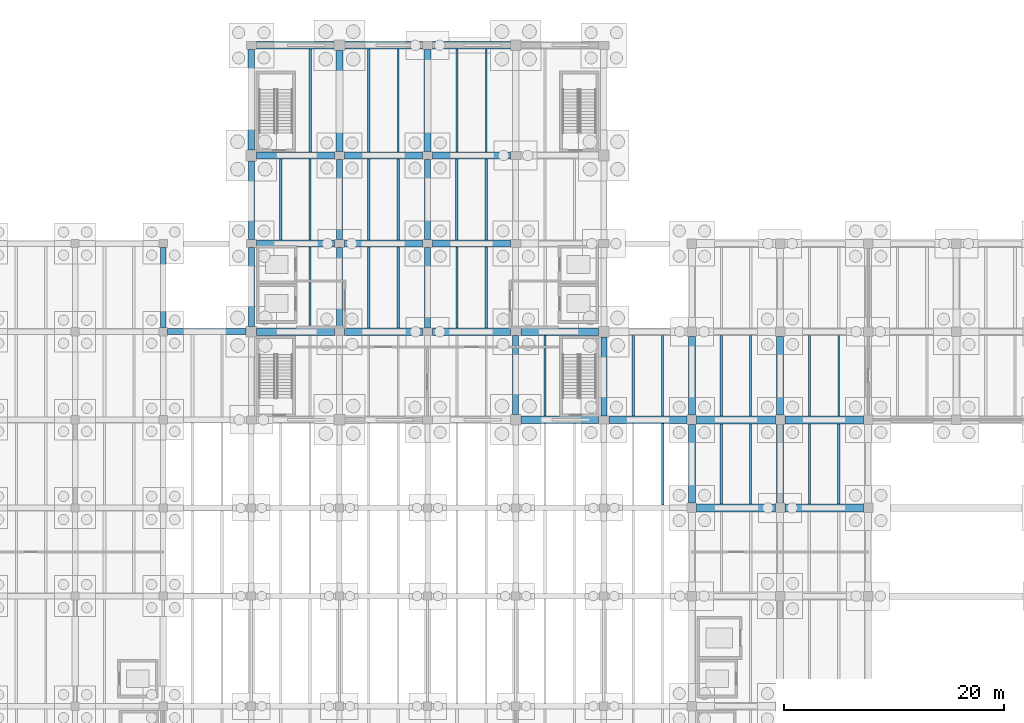
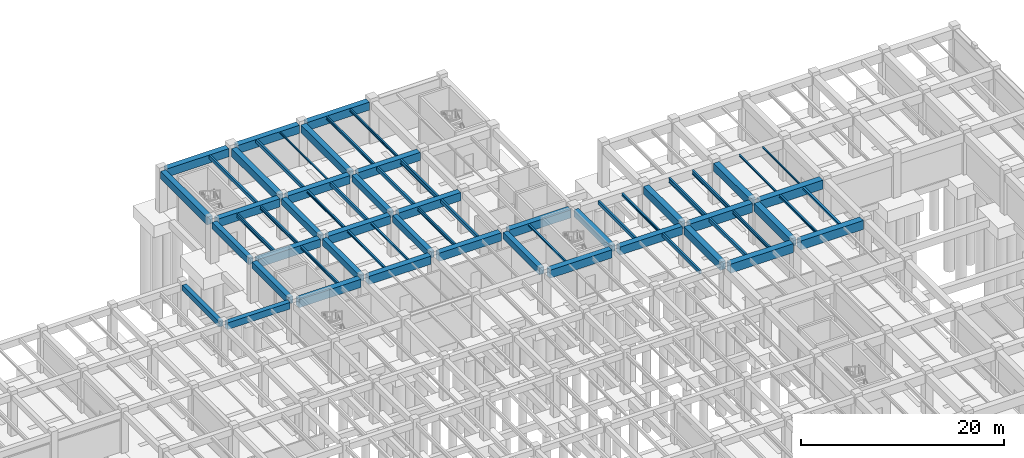
# One storey, part 19 of 44: 64 beams.
"""IFC4 building model written with IfcOpenShell, lengths in metres."""

from ifc_helpers import new_model, si_unit, direction, frame, origin, origin_2d, place, context, subcontext, project, spatial, rectangle, i_section, extrude, material, material_profile, profile_set, type_object, element, save


model = new_model("IFC4")

# Units and contexts
model_context = context("Model", 3, precision=1e-05, world=origin(), true_north=direction((0.0, 1.0)))
body_context = subcontext(model_context, "Body", "Model", "MODEL_VIEW")
ifc_project = project(units=[si_unit("LENGTHUNIT", "METRE"), si_unit("AREAUNIT", "SQUARE_METRE"), si_unit("VOLUMEUNIT", "CUBIC_METRE"), si_unit("PLANEANGLEUNIT", "RADIAN"), si_unit("MASSUNIT", "GRAM", prefix="KILO")], contexts=[model_context])

# Site, building, storey
site_placement = place(None, origin())
site = spatial("IfcSite", under=ifc_project, at=site_placement, CompositionType="ELEMENT")
building_placement = place(site_placement, origin())
building = spatial("IfcBuilding", under=site, at=building_placement, Name="Pecanmere Concourse Central Library", CompositionType="ELEMENT")
storey_placement = place(building_placement, frame((0.0, 0.0, -5.39990234375)))
storey = spatial("IfcBuildingStorey", under=building, at=storey_placement, Name="B1", CompositionType="ELEMENT", Elevation=-5.39990234375)

# Beams
ifc_material_1 = material(Name="Concrete C40/50", Category="concrete")
ifc_material_profile_1 = material_profile(ifc_material_1, rectangle(XDim=0.47998046875, YDim=0.679931640625, at=origin_2d()), Name="RC 480x680")
ifc_profile_set_1 = profile_set([ifc_material_profile_1], Name="Concrete C40/50")
beam_type_1 = type_object("IfcBeamType", Name="GRD_480x680", PredefinedType="USERDEFINED", material=ifc_profile_set_1)
beam_1_placement = place(storey_placement, frame((64.0, 98.375, 4.639892578125), z_axis=(0.0, 1.0, 0.0), x_axis=(-1.0, 0.0, 0.0)))
element("IfcBeam", 1, at=beam_1_placement, inside=storey, type_object=beam_type_1, Name="Primary Girder Y L01-0283", ObjectType="GIRDER", PredefinedType="USERDEFINED", context=body_context, shape_type="SweptSolid", body=[
    extrude(rectangle(XDim=0.47998046875, YDim=0.679931640625, at=origin_2d()), origin(), (0.0, 0.0, 1.0), 7.25),
])
ifc_material_2 = material(Name="Concrete C40/50", Category="concrete")
ifc_material_profile_2 = material_profile(ifc_material_2, rectangle(XDim=0.5400390625, YDim=0.800048828125, at=origin_2d()), Name="RC 540x800")
ifc_profile_set_2 = profile_set([ifc_material_profile_2], Name="Concrete C40/50")
beam_type_2 = type_object("IfcBeamType", Name="GRD_540x800", PredefinedType="USERDEFINED", material=ifc_profile_set_2)
beam_2_placement = place(storey_placement, frame((64.375, 98.0, 4.579833984375), z_axis=(1.0, 0.0, 0.0), x_axis=(0.0, 1.0, 0.0)))
element("IfcBeam", 2, at=beam_2_placement, inside=storey, type_object=beam_type_2, Name="Primary Girder X L01-0178", ObjectType="GIRDER", PredefinedType="USERDEFINED", context=body_context, shape_type="SweptSolid", body=[
    extrude(rectangle(XDim=0.5400390625, YDim=0.800048828125, at=origin_2d()), origin(), (0.0, 0.0, 1.0), 7.135009765625),
])
for number, where, z_axis, x_axis, name in (
    (3, (72.0, 98.489990234375, 4.579833984375), (0.0, 1.0, 0.0), (-1.0, 0.0, 0.0), "Primary Girder Y L01-0293"),
    (4, (72.0, 106.360107421875, 4.579833984375), (0.0, 1.0, 0.0), (-1.0, 0.0, 0.0), "Primary Girder Y L01-0294"),
):
    element("IfcBeam", number, at=place(storey_placement, frame(where, z_axis=z_axis, x_axis=x_axis)), inside=storey, type_object=beam_type_2, Name=name, ObjectType="GIRDER", PredefinedType="USERDEFINED", context=body_context, shape_type="SweptSolid", body=[
        extrude(rectangle(XDim=0.5400390625, YDim=0.800048828125, at=origin_2d()), origin(), (0.0, 0.0, 1.0), 7.14990234375),
    ])
for number, where, z_axis, x_axis, name in (
    (5, (80.0, 98.360107421875, 4.579833984375), (0.0, 1.0, 0.0), (-1.0, 0.0, 0.0), "Primary Girder Y L01-0305"),
    (6, (80.0, 106.360107421875, 4.579833984375), (0.0, 1.0, 0.0), (-1.0, 0.0, 0.0), "Primary Girder Y L01-0306"),
    (7, (88.0, 98.360107421875, 4.579833984375), (0.0, 1.0, 0.0), (-1.0, 0.0, 0.0), "Primary Girder Y L01-0317"),
    (8, (88.0, 106.360107421875, 4.579833984375), (0.0, 1.0, 0.0), (-1.0, 0.0, 0.0), "Primary Girder Y L01-0318"),
):
    element("IfcBeam", number, at=place(storey_placement, frame(where, z_axis=z_axis, x_axis=x_axis)), inside=storey, type_object=beam_type_2, Name=name, ObjectType="GIRDER", PredefinedType="USERDEFINED", context=body_context, shape_type="SweptSolid", body=[
        extrude(rectangle(XDim=0.5400390625, YDim=0.800048828125, at=origin_2d()), origin(), (0.0, 0.0, 1.0), 7.27978515625),
    ])
for number, where, z_axis, x_axis, name in (
    (9, (96.0, 90.489990234375, 4.579833984375), (0.0, 1.0, 0.0), (-1.0, 0.0, 0.0), "Primary Girder Y L01-0328"),
    (10, (104.0, 90.360107421875, 4.579833984375), (0.0, 1.0, 0.0), (-1.0, 0.0, 0.0), "Primary Girder Y L01-0340"),
):
    element("IfcBeam", number, at=place(storey_placement, frame(where, z_axis=z_axis, x_axis=x_axis)), inside=storey, type_object=beam_type_2, Name=name, ObjectType="GIRDER", PredefinedType="USERDEFINED", context=body_context, shape_type="SweptSolid", body=[
        extrude(rectangle(XDim=0.5400390625, YDim=0.800048828125, at=origin_2d()), origin(), (0.0, 0.0, 1.0), 7.14990234375),
    ])
ifc_material_3 = material(Name="Concrete C40/50", Category="concrete")
ifc_material_profile_3 = material_profile(ifc_material_3, rectangle(XDim=0.6201171875, YDim=0.919921875, at=origin_2d()), Name="RC 620x920")
ifc_profile_set_3 = profile_set([ifc_material_profile_3], Name="Concrete C40/50")
beam_type_3 = type_object("IfcBeamType", Name="GRD_620x920", PredefinedType="USERDEFINED", material=ifc_profile_set_3)
for number, where, z_axis, x_axis, name in (
    (11, (72.0, 114.489990234375, 4.52001953125), (0.0, 1.0, 0.0), (-1.0, 0.0, 0.0), "Primary Girder Y L01-0295"),
    (12, (80.0, 114.360107421875, 4.52001953125), (0.0, 1.0, 0.0), (-1.0, 0.0, 0.0), "Primary Girder Y L01-0307"),
):
    element("IfcBeam", number, at=place(storey_placement, frame(where, z_axis=z_axis, x_axis=x_axis)), inside=storey, type_object=beam_type_3, Name=name, ObjectType="GIRDER", PredefinedType="USERDEFINED", context=body_context, shape_type="SweptSolid", body=[
        extrude(rectangle(XDim=0.6201171875, YDim=0.919921875, at=origin_2d()), origin(), (0.0, 0.0, 1.0), 9.14990234375),
    ])
beam_3_placement = place(storey_placement, frame((88.0, 114.360107421875, 4.52001953125), z_axis=(0.0, 1.0, 0.0), x_axis=(-1.0, 0.0, 0.0)))
element("IfcBeam", 13, at=beam_3_placement, inside=storey, type_object=beam_type_3, Name="Primary Girder Y L01-0319", ObjectType="GIRDER", PredefinedType="USERDEFINED", context=body_context, shape_type="SweptSolid", body=[
    extrude(rectangle(XDim=0.6201171875, YDim=0.919921875, at=origin_2d()), origin(), (0.0, 0.0, 1.0), 9.27978515625),
])
ifc_material_4 = material(Name="Concrete C40/50", Category="concrete")
ifc_material_profile_4 = material_profile(ifc_material_4, rectangle(XDim=0.639892578125, YDim=0.949951171875, at=origin_2d()), Name="RC 640x950")
ifc_profile_set_4 = profile_set([ifc_material_profile_4], Name="Concrete C40/50")
beam_type_4 = type_object("IfcBeamType", Name="GRD_640x950", PredefinedType="USERDEFINED", material=ifc_profile_set_4)
for number, where, z_axis, x_axis, name in (
    (14, (112.0, 82.429931640625, 4.5048828125), (0.0, 1.0, 0.0), (-1.0, 0.0, 0.0), "Primary Girder Y L01-0351"),
    (15, (112.0, 90.429931640625, 4.5048828125), (0.0, 1.0, 0.0), (-1.0, 0.0, 0.0), "Primary Girder Y L01-0352"),
    (16, (120.0, 82.429931640625, 4.5048828125), (0.0, 1.0, 0.0), (-1.0, 0.0, 0.0), "Primary Girder Y L01-0361"),
    (17, (120.0, 90.429931640625, 4.5048828125), (0.0, 1.0, 0.0), (-1.0, 0.0, 0.0), "Primary Girder Y L01-0362"),
):
    element("IfcBeam", number, at=place(storey_placement, frame(where, z_axis=z_axis, x_axis=x_axis)), inside=storey, type_object=beam_type_4, Name=name, ObjectType="GIRDER", PredefinedType="USERDEFINED", context=body_context, shape_type="SweptSolid", body=[
        extrude(rectangle(XDim=0.639892578125, YDim=0.949951171875, at=origin_2d()), origin(), (0.0, 0.0, 1.0), 7.14013671875),
    ])
ifc_material_5 = material(Name="Concrete C40/50", Category="concrete")
ifc_material_profile_5 = material_profile(ifc_material_5, rectangle(XDim=0.659912109375, YDim=0.97998046875, at=origin_2d()), Name="RC 660x980")
ifc_profile_set_5 = profile_set([ifc_material_profile_5], Name="Concrete C40/50")
beam_type_5 = type_object("IfcBeamType", Name="GRD_660x980", PredefinedType="USERDEFINED", material=ifc_profile_set_5)
beam_4_placement = place(storey_placement, frame((96.489990234375, 90.0, 4.489990234375), z_axis=(1.0, 0.0, 0.0), x_axis=(0.0, 1.0, 0.0)))
element("IfcBeam", 18, at=beam_4_placement, inside=storey, type_object=beam_type_5, Name="Primary Girder X L01-0166", ObjectType="GIRDER", PredefinedType="USERDEFINED", context=body_context, shape_type="SweptSolid", body=[
    extrude(rectangle(XDim=0.659912109375, YDim=0.97998046875, at=origin_2d()), origin(), (0.0, 0.0, 1.0), 7.050048828125),
])
beam_5_placement = place(storey_placement, frame((104.4599609375, 90.0, 4.489990234375), z_axis=(1.0, 0.0, 0.0), x_axis=(0.0, 1.0, 0.0)))
element("IfcBeam", 19, at=beam_5_placement, inside=storey, type_object=beam_type_5, Name="Primary Girder X L01-0167", ObjectType="GIRDER", PredefinedType="USERDEFINED", context=body_context, shape_type="SweptSolid", body=[
    extrude(rectangle(XDim=0.659912109375, YDim=0.97998046875, at=origin_2d()), origin(), (0.0, 0.0, 1.0), 7.110107421875),
])
beam_6_placement = place(storey_placement, frame((72.489990234375, 98.0, 4.489990234375), z_axis=(1.0, 0.0, 0.0), x_axis=(0.0, 1.0, 0.0)))
element("IfcBeam", 20, at=beam_6_placement, inside=storey, type_object=beam_type_5, Name="Primary Girder X L01-0179", ObjectType="GIRDER", PredefinedType="USERDEFINED", context=body_context, shape_type="SweptSolid", body=[
    extrude(rectangle(XDim=0.659912109375, YDim=0.97998046875, at=origin_2d()), origin(), (0.0, 0.0, 1.0), 7.050048828125),
])
for number, where, z_axis, x_axis, name in (
    (21, (80.4599609375, 98.0, 4.489990234375), (1.0, 0.0, 0.0), (0.0, 1.0, 0.0), "Primary Girder X L01-0180"),
    (22, (88.4599609375, 98.0, 4.489990234375), (1.0, 0.0, 0.0), (0.0, 1.0, 0.0), "Primary Girder X L01-0181"),
):
    element("IfcBeam", number, at=place(storey_placement, frame(where, z_axis=z_axis, x_axis=x_axis)), inside=storey, type_object=beam_type_5, Name=name, ObjectType="GIRDER", PredefinedType="USERDEFINED", context=body_context, shape_type="SweptSolid", body=[
        extrude(rectangle(XDim=0.659912109375, YDim=0.97998046875, at=origin_2d()), origin(), (0.0, 0.0, 1.0), 7.080078125),
    ])
beam_7_placement = place(storey_placement, frame((96.4599609375, 98.0, 4.489990234375), z_axis=(1.0, 0.0, 0.0), x_axis=(0.0, 1.0, 0.0)))
element("IfcBeam", 23, at=beam_7_placement, inside=storey, type_object=beam_type_5, Name="Primary Girder X L01-0182", ObjectType="GIRDER", PredefinedType="USERDEFINED", context=body_context, shape_type="SweptSolid", body=[
    extrude(rectangle(XDim=0.659912109375, YDim=0.97998046875, at=origin_2d()), origin(), (0.0, 0.0, 1.0), 7.050048828125),
])
for number, where, z_axis, x_axis, name in (
    (24, (72.4599609375, 106.0, 4.489990234375), (1.0, 0.0, 0.0), (0.0, 1.0, 0.0), "Primary Girder X L01-0194"),
    (25, (80.4599609375, 106.0, 4.489990234375), (1.0, 0.0, 0.0), (0.0, 1.0, 0.0), "Primary Girder X L01-0195"),
    (26, (88.4599609375, 106.0, 4.489990234375), (1.0, 0.0, 0.0), (0.0, 1.0, 0.0), "Primary Girder X L01-0196"),
):
    element("IfcBeam", number, at=place(storey_placement, frame(where, z_axis=z_axis, x_axis=x_axis)), inside=storey, type_object=beam_type_5, Name=name, ObjectType="GIRDER", PredefinedType="USERDEFINED", context=body_context, shape_type="SweptSolid", body=[
        extrude(rectangle(XDim=0.659912109375, YDim=0.97998046875, at=origin_2d()), origin(), (0.0, 0.0, 1.0), 7.080078125),
    ])
beam_8_placement = place(storey_placement, frame((72.489990234375, 114.0, 4.489990234375), z_axis=(1.0, 0.0, 0.0), x_axis=(0.0, 1.0, 0.0)))
element("IfcBeam", 27, at=beam_8_placement, inside=storey, type_object=beam_type_5, Name="Primary Girder X L01-0203", ObjectType="GIRDER", PredefinedType="USERDEFINED", context=body_context, shape_type="SweptSolid", body=[
    extrude(rectangle(XDim=0.659912109375, YDim=0.97998046875, at=origin_2d()), origin(), (0.0, 0.0, 1.0), 7.050048828125),
])
for number, where, z_axis, x_axis, name in (
    (28, (80.4599609375, 114.0, 4.489990234375), (1.0, 0.0, 0.0), (0.0, 1.0, 0.0), "Primary Girder X L01-0204"),
    (29, (88.4599609375, 114.0, 4.489990234375), (1.0, 0.0, 0.0), (0.0, 1.0, 0.0), "Primary Girder X L01-0205"),
):
    element("IfcBeam", number, at=place(storey_placement, frame(where, z_axis=z_axis, x_axis=x_axis)), inside=storey, type_object=beam_type_5, Name=name, ObjectType="GIRDER", PredefinedType="USERDEFINED", context=body_context, shape_type="SweptSolid", body=[
        extrude(rectangle(XDim=0.659912109375, YDim=0.97998046875, at=origin_2d()), origin(), (0.0, 0.0, 1.0), 7.080078125),
    ])
for number, where, z_axis, x_axis, name in (
    (30, (72.4599609375, 124.0, 4.489990234375), (1.0, 0.0, 0.0), (0.0, 1.0, 0.0), "Primary Girder X L01-0207"),
    (31, (80.489990234375, 124.0, 4.489990234375), (1.0, 0.0, 0.0), (0.0, 1.0, 0.0), "Primary Girder X L01-0208"),
    (32, (88.4599609375, 124.0, 4.489990234375), (1.0, 0.0, 0.0), (0.0, 1.0, 0.0), "Primary Girder X L01-0209"),
):
    element("IfcBeam", number, at=place(storey_placement, frame(where, z_axis=z_axis, x_axis=x_axis)), inside=storey, type_object=beam_type_5, Name=name, ObjectType="GIRDER", PredefinedType="USERDEFINED", context=body_context, shape_type="SweptSolid", body=[
        extrude(rectangle(XDim=0.659912109375, YDim=0.97998046875, at=origin_2d()), origin(), (0.0, 0.0, 1.0), 7.050048828125),
    ])
ifc_material_6 = material(Name="Concrete C40/50", Category="concrete")
ifc_material_profile_6 = material_profile(ifc_material_6, rectangle(XDim=0.719970703125, YDim=1.080078125, at=origin_2d()), Name="RC 720x1080")
ifc_profile_set_6 = profile_set([ifc_material_profile_6], Name="Concrete C40/50")
beam_type_6 = type_object("IfcBeamType", Name="GRD_720x1080", PredefinedType="USERDEFINED", material=ifc_profile_set_6)
for number, where, z_axis, x_axis, name in (
    (33, (112.429931640625, 82.0, 4.43994140625), (1.0, 0.0, 0.0), (0.0, 1.0, 0.0), "Primary Girder X L01-0154"),
    (34, (120.429931640625, 82.0, 4.43994140625), (1.0, 0.0, 0.0), (0.0, 1.0, 0.0), "Primary Girder X L01-0155"),
    (35, (112.429931640625, 90.0, 4.43994140625), (1.0, 0.0, 0.0), (0.0, 1.0, 0.0), "Primary Girder X L01-0168"),
    (36, (120.429931640625, 90.0, 4.43994140625), (1.0, 0.0, 0.0), (0.0, 1.0, 0.0), "Primary Girder X L01-0169"),
):
    element("IfcBeam", number, at=place(storey_placement, frame(where, z_axis=z_axis, x_axis=x_axis)), inside=storey, type_object=beam_type_6, Name=name, ObjectType="GIRDER", PredefinedType="USERDEFINED", context=body_context, shape_type="SweptSolid", body=[
        extrude(rectangle(XDim=0.719970703125, YDim=1.080078125, at=origin_2d()), origin(), (0.0, 0.0, 1.0), 7.14013671875),
    ])
ifc_material_7 = material(Name="Concrete C40/50", Category="concrete")
ifc_material_profile_7 = material_profile(ifc_material_7, rectangle(XDim=0.219970703125, YDim=0.409912109375, at=origin_2d()), Name="RC 220x410")
ifc_profile_set_7 = profile_set([ifc_material_profile_7], Name="Concrete C40/50")
beam_type_7 = type_object("IfcBeamType", Name="JST_RC_220x410", PredefinedType="JOIST", material=ifc_profile_set_7)
beam_9_placement = place(storey_placement, frame((77.333251953125, 114.330078125, 4.77490234375), z_axis=(0.0, 1.0, 0.0), x_axis=(-1.0, 0.0, 0.0)))
element("IfcBeam", 37, at=beam_9_placement, inside=storey, type_object=beam_type_7, Name="Secondary Floor Joist L01-0563", PredefinedType="JOIST", context=body_context, shape_type="SweptSolid", body=[
    extrude(rectangle(XDim=0.219970703125, YDim=0.409912109375, at=origin_2d()), origin(), (0.0, 0.0, 1.0), 9.33984375),
])
beam_10_placement = place(storey_placement, frame((85.333251953125, 106.330078125, 4.77490234375), z_axis=(0.0, 1.0, 0.0), x_axis=(-1.0, 0.0, 0.0)))
element("IfcBeam", 38, at=beam_10_placement, inside=storey, type_object=beam_type_7, Name="Secondary Floor Joist L01-0585", PredefinedType="JOIST", context=body_context, shape_type="SweptSolid", body=[
    extrude(rectangle(XDim=0.219970703125, YDim=0.409912109375, at=origin_2d()), origin(), (0.0, 0.0, 1.0), 7.33984375),
])
beam_11_placement = place(storey_placement, frame((82.666748046875, 114.330078125, 4.77490234375), z_axis=(0.0, 1.0, 0.0), x_axis=(-1.0, 0.0, 0.0)))
element("IfcBeam", 39, at=beam_11_placement, inside=storey, type_object=beam_type_7, Name="Secondary Floor Joist L01-0586", PredefinedType="JOIST", context=body_context, shape_type="SweptSolid", body=[
    extrude(rectangle(XDim=0.219970703125, YDim=0.409912109375, at=origin_2d()), origin(), (0.0, 0.0, 1.0), 9.33984375),
])
for number, where, z_axis, x_axis, name in (
    (40, (93.333251953125, 98.330078125, 4.77490234375), (0.0, 1.0, 0.0), (-1.0, 0.0, 0.0), "Secondary Floor Joist L01-0607"),
    (41, (90.666748046875, 106.330078125, 4.77490234375), (0.0, 1.0, 0.0), (-1.0, 0.0, 0.0), "Secondary Floor Joist L01-0608"),
):
    element("IfcBeam", number, at=place(storey_placement, frame(where, z_axis=z_axis, x_axis=x_axis)), inside=storey, type_object=beam_type_7, Name=name, PredefinedType="JOIST", context=body_context, shape_type="SweptSolid", body=[
        extrude(rectangle(XDim=0.219970703125, YDim=0.409912109375, at=origin_2d()), origin(), (0.0, 0.0, 1.0), 7.33984375),
    ])
beam_12_placement = place(storey_placement, frame((109.333251953125, 82.25, 4.77490234375), z_axis=(0.0, 1.0, 0.0), x_axis=(-1.0, 0.0, 0.0)))
element("IfcBeam", 42, at=beam_12_placement, inside=storey, type_object=beam_type_7, Name="Secondary Floor Joist L01-0647", PredefinedType="JOIST", context=body_context, shape_type="SweptSolid", body=[
    extrude(rectangle(XDim=0.219970703125, YDim=0.409912109375, at=origin_2d()), origin(), (0.0, 0.0, 1.0), 7.419921875),
])
beam_13_placement = place(storey_placement, frame((106.666748046875, 90.330078125, 4.77490234375), z_axis=(0.0, 1.0, 0.0), x_axis=(-1.0, 0.0, 0.0)))
element("IfcBeam", 43, at=beam_13_placement, inside=storey, type_object=beam_type_7, Name="Secondary Floor Joist L01-0648", PredefinedType="JOIST", context=body_context, shape_type="SweptSolid", body=[
    extrude(rectangle(XDim=0.219970703125, YDim=0.409912109375, at=origin_2d()), origin(), (0.0, 0.0, 1.0), 7.33984375),
])
beam_14_placement = place(storey_placement, frame((114.666748046875, 82.360107421875, 4.77490234375), z_axis=(0.0, 1.0, 0.0), x_axis=(-1.0, 0.0, 0.0)))
element("IfcBeam", 44, at=beam_14_placement, inside=storey, type_object=beam_type_7, Name="Secondary Floor Joist L01-0662", PredefinedType="JOIST", context=body_context, shape_type="SweptSolid", body=[
    extrude(rectangle(XDim=0.219970703125, YDim=0.409912109375, at=origin_2d()), origin(), (0.0, 0.0, 1.0), 7.27978515625),
])
ifc_material_8 = material(Name="Structural steel ASTM A992 Grade 50", Category="steel")
ifc_material_profile_8 = material_profile(ifc_material_8, i_section(OverallWidth=0.152099609375, OverallDepth=0.152099609375, WebThickness=0.005859375, FlangeThickness=0.006591796875, at=origin_2d()), Name="W150x22.5")
ifc_profile_set_8 = profile_set([ifc_material_profile_8], Name="Structural steel ASTM A992 Grade 50")
beam_type_8 = type_object("IfcBeamType", Name="SBM_W150x22", PredefinedType="LINTEL", material=ifc_profile_set_8)
beam_15_placement = place(storey_placement, frame((85.333251953125, 114.330078125, 4.90380859375), z_axis=(0.0, 1.0, 0.0), x_axis=(-1.0, 0.0, 0.0)))
element("IfcBeam", 45, at=beam_15_placement, inside=storey, type_object=beam_type_8, Name="Secondary Floor Joist L01-0587", PredefinedType="LINTEL", context=body_context, shape_type="SweptSolid", body=[
    extrude(i_section(OverallWidth=0.152099609375, OverallDepth=0.152099609375, WebThickness=0.005859375, FlangeThickness=0.006591796875, at=origin_2d()), origin(), (0.0, 0.0, 1.0), 9.33984375),
])
beam_16_placement = place(storey_placement, frame((125.333251953125, 90.360107421875, 4.90380859375), z_axis=(0.0, 1.0, 0.0), x_axis=(-1.0, 0.0, 0.0)))
element("IfcBeam", 46, at=beam_16_placement, inside=storey, type_object=beam_type_8, Name="Secondary Floor Joist L01-0679", PredefinedType="LINTEL", context=body_context, shape_type="SweptSolid", body=[
    extrude(i_section(OverallWidth=0.152099609375, OverallDepth=0.152099609375, WebThickness=0.005859375, FlangeThickness=0.006591796875, at=origin_2d()), origin(), (0.0, 0.0, 1.0), 7.27978515625),
])
ifc_material_9 = material(Name="Structural steel ASTM A992 Grade 50", Category="steel")
ifc_material_profile_9 = material_profile(ifc_material_9, i_section(OverallWidth=0.1650390625, OverallDepth=0.200927734375, WebThickness=0.006103515625, FlangeThickness=0.01025390625, at=origin_2d()), Name="W200x35.9")
ifc_profile_set_9 = profile_set([ifc_material_profile_9], Name="Structural steel ASTM A992 Grade 50")
beam_type_9 = type_object("IfcBeamType", Name="SBM_W200x36", PredefinedType="LINTEL", material=ifc_profile_set_9)
beam_17_placement = place(storey_placement, frame((122.666748046875, 90.360107421875, 4.87939453125), z_axis=(0.0, 1.0, 0.0), x_axis=(-1.0, 0.0, 0.0)))
element("IfcBeam", 47, at=beam_17_placement, inside=storey, type_object=beam_type_9, Name="Secondary Floor Joist L01-0678", PredefinedType="LINTEL", context=body_context, shape_type="SweptSolid", body=[
    extrude(i_section(OverallWidth=0.1650390625, OverallDepth=0.200927734375, WebThickness=0.006103515625, FlangeThickness=0.01025390625, at=origin_2d()), origin(), (0.0, 0.0, 1.0), 7.27978515625),
])
ifc_material_10 = material(Name="Structural steel ASTM A992 Grade 50", Category="steel")
ifc_material_profile_10 = material_profile(ifc_material_10, i_section(OverallWidth=0.2041015625, OverallDepth=0.2060546875, WebThickness=0.0078125, FlangeThickness=0.0126953125, at=origin_2d()), Name="W200x52")
ifc_profile_set_10 = profile_set([ifc_material_profile_10], Name="Structural steel ASTM A992 Grade 50")
beam_type_10 = type_object("IfcBeamType", Name="SBM_W200x52", PredefinedType="JOIST", material=ifc_profile_set_10)
for number, where, z_axis, x_axis, name in (
    (48, (85.333251953125, 98.330078125, 4.876953125), (0.0, 1.0, 0.0), (-1.0, 0.0, 0.0), "Secondary Floor Joist L01-0583"),
    (49, (98.666748046875, 90.330078125, 4.876953125), (0.0, 1.0, 0.0), (-1.0, 0.0, 0.0), "Secondary Floor Joist L01-0628"),
):
    element("IfcBeam", number, at=place(storey_placement, frame(where, z_axis=z_axis, x_axis=x_axis)), inside=storey, type_object=beam_type_10, Name=name, PredefinedType="JOIST", context=body_context, shape_type="SweptSolid", body=[
        extrude(i_section(OverallWidth=0.2041015625, OverallDepth=0.2060546875, WebThickness=0.0078125, FlangeThickness=0.0126953125, at=origin_2d()), origin(), (0.0, 0.0, 1.0), 7.33984375),
    ])
ifc_material_11 = material(Name="Structural steel ASTM A992 Grade 50", Category="steel")
ifc_material_profile_11 = material_profile(ifc_material_11, i_section(OverallWidth=0.201904296875, OverallDepth=0.2470703125, WebThickness=0.00732421875, FlangeThickness=0.010986328125, at=origin_2d()), Name="W250x49.1")
ifc_profile_set_11 = profile_set([ifc_material_profile_11], Name="Structural steel ASTM A992 Grade 50")
beam_type_11 = type_object("IfcBeamType", Name="SBM_W250x49", PredefinedType="JOIST", material=ifc_profile_set_11)
beam_18_placement = place(storey_placement, frame((82.666748046875, 98.330078125, 4.8564453125), z_axis=(0.0, 1.0, 0.0), x_axis=(-1.0, 0.0, 0.0)))
element("IfcBeam", 50, at=beam_18_placement, inside=storey, type_object=beam_type_11, Name="Secondary Floor Joist L01-0582", PredefinedType="JOIST", context=body_context, shape_type="SweptSolid", body=[
    extrude(i_section(OverallWidth=0.201904296875, OverallDepth=0.2470703125, WebThickness=0.00732421875, FlangeThickness=0.010986328125, at=origin_2d()), origin(), (0.0, 0.0, 1.0), 7.33984375),
])
ifc_material_12 = material(Name="Structural steel ASTM A992 Grade 50", Category="steel")
ifc_material_profile_12 = material_profile(ifc_material_12, i_section(OverallWidth=0.25390625, OverallDepth=0.2529296875, WebThickness=0.008544921875, FlangeThickness=0.01416015625, at=origin_2d()), Name="W250x73")
ifc_profile_set_12 = profile_set([ifc_material_profile_12], Name="Structural steel ASTM A992 Grade 50")
beam_type_12 = type_object("IfcBeamType", Name="SBM_W250x73", PredefinedType="BEAM", material=ifc_profile_set_12)
beam_19_placement = place(storey_placement, frame((125.333251953125, 82.360107421875, 4.853515625), z_axis=(0.0, 1.0, 0.0), x_axis=(-1.0, 0.0, 0.0)))
element("IfcBeam", 51, at=beam_19_placement, inside=storey, type_object=beam_type_12, Name="Secondary Floor Joist L01-0677", PredefinedType="BEAM", context=body_context, shape_type="SweptSolid", body=[
    extrude(i_section(OverallWidth=0.25390625, OverallDepth=0.2529296875, WebThickness=0.008544921875, FlangeThickness=0.01416015625, at=origin_2d()), origin(), (0.0, 0.0, 1.0), 7.27978515625),
])
ifc_material_13 = material(Name="Structural steel ASTM A992 Grade 50", Category="steel")
ifc_material_profile_13 = material_profile(ifc_material_13, i_section(OverallWidth=0.1669921875, OverallDepth=0.31689453125, WebThickness=0.007568359375, FlangeThickness=0.01318359375, at=origin_2d()), Name="W310x52")
ifc_profile_set_13 = profile_set([ifc_material_profile_13], Name="Structural steel ASTM A992 Grade 50")
beam_type_13 = type_object("IfcBeamType", Name="SBM_W310x52", PredefinedType="JOIST", material=ifc_profile_set_13)
beam_20_placement = place(storey_placement, frame((93.333251953125, 114.330078125, 4.8212890625), z_axis=(0.0, 1.0, 0.0), x_axis=(-1.0, 0.0, 0.0)))
element("IfcBeam", 52, at=beam_20_placement, inside=storey, type_object=beam_type_13, Name="Secondary Floor Joist L01-0611", PredefinedType="JOIST", context=body_context, shape_type="SweptSolid", body=[
    extrude(i_section(OverallWidth=0.1669921875, OverallDepth=0.31689453125, WebThickness=0.007568359375, FlangeThickness=0.01318359375, at=origin_2d()), origin(), (0.0, 0.0, 1.0), 9.33984375),
])
ifc_material_14 = material(Name="Structural steel ASTM A992 Grade 50", Category="steel")
ifc_material_profile_14 = material_profile(ifc_material_14, i_section(OverallWidth=0.205078125, OverallDepth=0.31005859375, WebThickness=0.009521484375, FlangeThickness=0.016357421875, at=origin_2d()), Name="W310x74")
ifc_profile_set_14 = profile_set([ifc_material_profile_14], Name="Structural steel ASTM A992 Grade 50")
beam_type_14 = type_object("IfcBeamType", Name="SBM_W310x74", PredefinedType="BEAM", material=ifc_profile_set_14)
for number, where, z_axis, x_axis, name in (
    (53, (82.666748046875, 106.330078125, 4.824951171875), (0.0, 1.0, 0.0), (-1.0, 0.0, 0.0), "Secondary Floor Joist L01-0584"),
    (54, (109.333251953125, 90.330078125, 4.824951171875), (0.0, 1.0, 0.0), (-1.0, 0.0, 0.0), "Secondary Floor Joist L01-0649"),
):
    element("IfcBeam", number, at=place(storey_placement, frame(where, z_axis=z_axis, x_axis=x_axis)), inside=storey, type_object=beam_type_14, Name=name, PredefinedType="BEAM", context=body_context, shape_type="SweptSolid", body=[
        extrude(i_section(OverallWidth=0.205078125, OverallDepth=0.31005859375, WebThickness=0.009521484375, FlangeThickness=0.016357421875, at=origin_2d()), origin(), (0.0, 0.0, 1.0), 7.33984375),
    ])
beam_21_placement = place(storey_placement, frame((122.666748046875, 82.360107421875, 4.824951171875), z_axis=(0.0, 1.0, 0.0), x_axis=(-1.0, 0.0, 0.0)))
element("IfcBeam", 55, at=beam_21_placement, inside=storey, type_object=beam_type_14, Name="Secondary Floor Joist L01-0676", PredefinedType="BEAM", context=body_context, shape_type="SweptSolid", body=[
    extrude(i_section(OverallWidth=0.205078125, OverallDepth=0.31005859375, WebThickness=0.009521484375, FlangeThickness=0.016357421875, at=origin_2d()), origin(), (0.0, 0.0, 1.0), 7.27978515625),
])
ifc_material_15 = material(Name="Structural steel ASTM A992 Grade 50", Category="steel")
ifc_material_profile_15 = material_profile(ifc_material_15, i_section(OverallWidth=0.202880859375, OverallDepth=0.346923828125, WebThickness=0.0078125, FlangeThickness=0.013427734375, at=origin_2d()), Name="W360x64")
ifc_profile_set_15 = profile_set([ifc_material_profile_15], Name="Structural steel ASTM A992 Grade 50")
beam_type_15 = type_object("IfcBeamType", Name="SBM_W360x64", PredefinedType="JOIST", material=ifc_profile_set_15)
beam_22_placement = place(storey_placement, frame((77.333251953125, 98.330078125, 4.806396484375), z_axis=(0.0, 1.0, 0.0), x_axis=(-1.0, 0.0, 0.0)))
element("IfcBeam", 56, at=beam_22_placement, inside=storey, type_object=beam_type_15, Name="Secondary Floor Joist L01-0560", PredefinedType="JOIST", context=body_context, shape_type="SweptSolid", body=[
    extrude(i_section(OverallWidth=0.202880859375, OverallDepth=0.346923828125, WebThickness=0.0078125, FlangeThickness=0.013427734375, at=origin_2d()), origin(), (0.0, 0.0, 1.0), 7.33984375),
])
beam_23_placement = place(storey_placement, frame((90.666748046875, 114.330078125, 4.806396484375), z_axis=(0.0, 1.0, 0.0), x_axis=(-1.0, 0.0, 0.0)))
element("IfcBeam", 57, at=beam_23_placement, inside=storey, type_object=beam_type_15, Name="Secondary Floor Joist L01-0610", PredefinedType="JOIST", context=body_context, shape_type="SweptSolid", body=[
    extrude(i_section(OverallWidth=0.202880859375, OverallDepth=0.346923828125, WebThickness=0.0078125, FlangeThickness=0.013427734375, at=origin_2d()), origin(), (0.0, 0.0, 1.0), 9.33984375),
])
ifc_material_16 = material(Name="Structural steel ASTM A992 Grade 50", Category="steel")
ifc_material_profile_16 = material_profile(ifc_material_16, i_section(OverallWidth=0.180908203125, OverallDepth=0.4169921875, WebThickness=0.010986328125, FlangeThickness=0.018310546875, at=origin_2d()), Name="W410x85")
ifc_profile_set_16 = profile_set([ifc_material_profile_16], Name="Structural steel ASTM A992 Grade 50")
beam_type_16 = type_object("IfcBeamType", Name="SBM_W410x85", PredefinedType="BEAM", material=ifc_profile_set_16)
for number, where, z_axis, x_axis, name in (
    (58, (77.333251953125, 106.330078125, 4.771484375), (0.0, 1.0, 0.0), (-1.0, 0.0, 0.0), "Secondary Floor Joist L01-0562"),
    (59, (90.666748046875, 98.330078125, 4.771484375), (0.0, 1.0, 0.0), (-1.0, 0.0, 0.0), "Secondary Floor Joist L01-0606"),
):
    element("IfcBeam", number, at=place(storey_placement, frame(where, z_axis=z_axis, x_axis=x_axis)), inside=storey, type_object=beam_type_16, Name=name, PredefinedType="BEAM", context=body_context, shape_type="SweptSolid", body=[
        extrude(i_section(OverallWidth=0.180908203125, OverallDepth=0.4169921875, WebThickness=0.010986328125, FlangeThickness=0.018310546875, at=origin_2d()), origin(), (0.0, 0.0, 1.0), 7.33984375),
    ])
beam_24_placement = place(storey_placement, frame((117.333251953125, 82.360107421875, 4.771484375), z_axis=(0.0, 1.0, 0.0), x_axis=(-1.0, 0.0, 0.0)))
element("IfcBeam", 60, at=beam_24_placement, inside=storey, type_object=beam_type_16, Name="Secondary Floor Joist L01-0663", PredefinedType="BEAM", context=body_context, shape_type="SweptSolid", body=[
    extrude(i_section(OverallWidth=0.180908203125, OverallDepth=0.4169921875, WebThickness=0.010986328125, FlangeThickness=0.018310546875, at=origin_2d()), origin(), (0.0, 0.0, 1.0), 7.27978515625),
])
ifc_material_17 = material(Name="Structural steel ASTM A992 Grade 50", Category="steel")
ifc_material_profile_17 = material_profile(ifc_material_17, i_section(OverallWidth=0.194091796875, OverallDepth=0.468994140625, WebThickness=0.0126953125, FlangeThickness=0.0205078125, at=origin_2d()), Name="W460x106")
ifc_profile_set_17 = profile_set([ifc_material_profile_17], Name="Structural steel ASTM A992 Grade 50")
beam_type_17 = type_object("IfcBeamType", Name="SBM_W460x106", PredefinedType="USERDEFINED", material=ifc_profile_set_17)
beam_25_placement = place(storey_placement, frame((117.333251953125, 90.360107421875, 4.745361328125), z_axis=(0.0, 1.0, 0.0), x_axis=(-1.0, 0.0, 0.0)))
element("IfcBeam", 61, at=beam_25_placement, inside=storey, type_object=beam_type_17, Name="Secondary Floor Joist L01-0665", ObjectType="GIRDER", PredefinedType="USERDEFINED", context=body_context, shape_type="SweptSolid", body=[
    extrude(i_section(OverallWidth=0.194091796875, OverallDepth=0.468994140625, WebThickness=0.0126953125, FlangeThickness=0.0205078125, at=origin_2d()), origin(), (0.0, 0.0, 1.0), 7.27978515625),
])
ifc_material_18 = material(Name="Structural steel ASTM A992 Grade 50", Category="steel")
ifc_material_profile_18 = material_profile(ifc_material_18, i_section(OverallWidth=0.18994140625, OverallDepth=0.45703125, WebThickness=0.009033203125, FlangeThickness=0.014404296875, at=origin_2d()), Name="W460x74")
ifc_profile_set_18 = profile_set([ifc_material_profile_18], Name="Structural steel ASTM A992 Grade 50")
beam_type_18 = type_object("IfcBeamType", Name="SBM_W460x74", PredefinedType="BEAM", material=ifc_profile_set_18)
beam_26_placement = place(storey_placement, frame((74.666748046875, 106.330078125, 4.75146484375), z_axis=(0.0, 1.0, 0.0), x_axis=(-1.0, 0.0, 0.0)))
element("IfcBeam", 62, at=beam_26_placement, inside=storey, type_object=beam_type_18, Name="Secondary Floor Joist L01-0561", PredefinedType="BEAM", context=body_context, shape_type="SweptSolid", body=[
    extrude(i_section(OverallWidth=0.18994140625, OverallDepth=0.45703125, WebThickness=0.009033203125, FlangeThickness=0.014404296875, at=origin_2d()), origin(), (0.0, 0.0, 1.0), 7.33984375),
])
ifc_material_19 = material(Name="Structural steel ASTM A992 Grade 50", Category="steel")
ifc_material_profile_19 = material_profile(ifc_material_19, i_section(OverallWidth=0.2109375, OverallDepth=0.5390625, WebThickness=0.01171875, FlangeThickness=0.018798828125, at=origin_2d()), Name="W530x109")
ifc_profile_set_19 = profile_set([ifc_material_profile_19], Name="Structural steel ASTM A992 Grade 50")
beam_type_19 = type_object("IfcBeamType", Name="SBM_W530x109", PredefinedType="USERDEFINED", material=ifc_profile_set_19)
beam_27_placement = place(storey_placement, frame((93.333251953125, 106.330078125, 4.71044921875), z_axis=(0.0, 1.0, 0.0), x_axis=(-1.0, 0.0, 0.0)))
element("IfcBeam", 63, at=beam_27_placement, inside=storey, type_object=beam_type_19, Name="Secondary Floor Joist L01-0609", ObjectType="GIRDER", PredefinedType="USERDEFINED", context=body_context, shape_type="SweptSolid", body=[
    extrude(i_section(OverallWidth=0.2109375, OverallDepth=0.5390625, WebThickness=0.01171875, FlangeThickness=0.018798828125, at=origin_2d()), origin(), (0.0, 0.0, 1.0), 7.33984375),
])
ifc_material_20 = material(Name="Structural steel ASTM A992 Grade 50", Category="steel")
ifc_material_profile_20 = material_profile(ifc_material_20, i_section(OverallWidth=0.208984375, OverallDepth=0.532958984375, WebThickness=0.01025390625, FlangeThickness=0.015625, at=origin_2d()), Name="W530x92")
ifc_profile_set_20 = profile_set([ifc_material_profile_20], Name="Structural steel ASTM A992 Grade 50")
beam_type_20 = type_object("IfcBeamType", Name="SBM_W530x92", PredefinedType="BEAM", material=ifc_profile_set_20)
beam_28_placement = place(storey_placement, frame((114.666748046875, 90.360107421875, 4.71337890625), z_axis=(0.0, 1.0, 0.0), x_axis=(-1.0, 0.0, 0.0)))
element("IfcBeam", 64, at=beam_28_placement, inside=storey, type_object=beam_type_20, Name="Secondary Floor Joist L01-0664", PredefinedType="BEAM", context=body_context, shape_type="SweptSolid", body=[
    extrude(i_section(OverallWidth=0.208984375, OverallDepth=0.532958984375, WebThickness=0.01025390625, FlangeThickness=0.015625, at=origin_2d()), origin(), (0.0, 0.0, 1.0), 7.27978515625),
])

save(model, "model.ifc")
